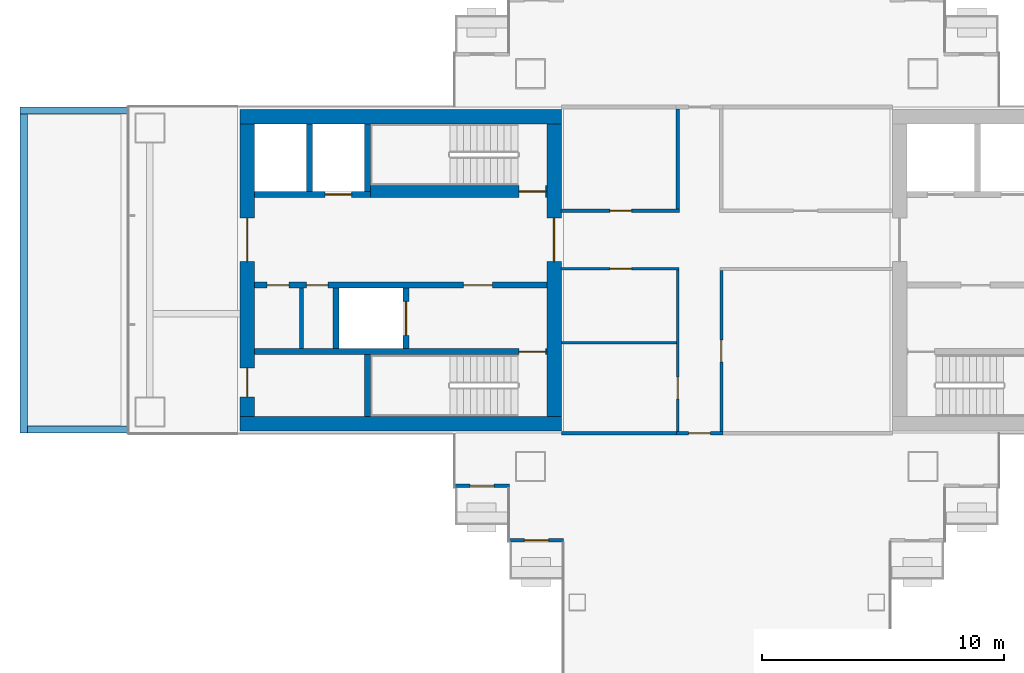
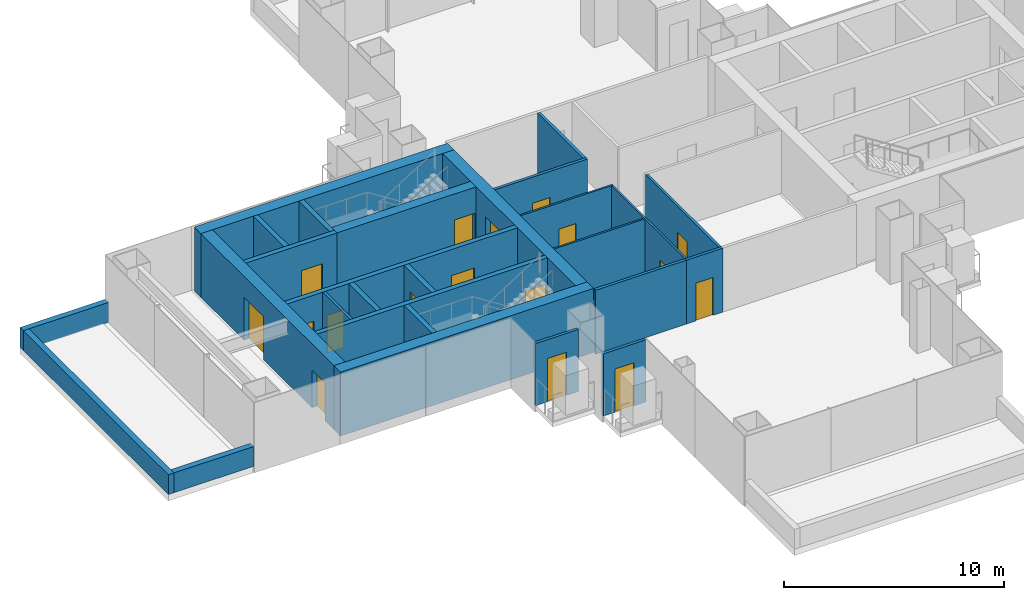
# One storey, part 11 of 20: 27 walls, 17 doors, 17 openings.
"""IFC4 building model written with IfcOpenShell, lengths in metres."""

from ifc_helpers import new_model, si_unit, direction, frame, frame_2d, origin, place, context, subcontext, project, spatial, rectangle, extrude, material, layer, layer_set, type_object, element, fill, save


model = new_model("IFC4")

# Units and contexts
model_context = context("Model", 3, precision=1e-05, world=origin(), true_north=direction((0.0, 1.0)))
body_context = subcontext(model_context, "Body", "Model", "MODEL_VIEW")
ifc_project = project(units=[si_unit("LENGTHUNIT", "METRE"), si_unit("AREAUNIT", "SQUARE_METRE"), si_unit("VOLUMEUNIT", "CUBIC_METRE"), si_unit("PLANEANGLEUNIT", "RADIAN"), si_unit("MASSUNIT", "GRAM", prefix="KILO")], contexts=[model_context])

# Site, building, storey
site_placement = place(None, origin())
site = spatial("IfcSite", under=ifc_project, at=site_placement, CompositionType="ELEMENT")
building_placement = place(site_placement, origin())
building = spatial("IfcBuilding", under=site, at=building_placement, Name="Shamsa Quay Exchange Towers", CompositionType="ELEMENT")
storey_placement = place(building_placement, frame((0.0, 0.0, 81.89990234375)))
storey = spatial("IfcBuildingStorey", under=building, at=storey_placement, Name="L18", CompositionType="ELEMENT", Elevation=81.89990234375)

# Wall, opening, door
ifc_material_1 = material(Name="Aluminium EN AW-6063 T6, black anodised, with black enamelled glass infill", Category="aluminium")
ifc_layer_1 = layer(ifc_material_1, 0.14990234375)
ifc_layer_set_1 = layer_set([ifc_layer_1], Name="BALCONY DOOR BAY WALL 150")
wall_type_1 = type_object("IfcWallType", Name="BALCONY DOOR BAY WALL 150", PredefinedType="SOLIDWALL", material=ifc_layer_set_1)
wall_1_placement = place(storey_placement, frame((-42.75, -8.925048828125, 0.0), z_axis=(0.0, 0.0, 1.0), x_axis=(-1.0, 0.0, 0.0)))
wall_1 = element("IfcWall", 1, at=wall_1_placement, inside=storey, type_object=wall_type_1, Name="Door bay T1-PKWS L18", PredefinedType="SOLIDWALL", context=body_context, shape_type="SweptSolid", body=[
    extrude(rectangle(XDim=2.25, YDim=0.14990234375, at=frame_2d((1.125, 0.0))), origin(), (0.0, 0.0, 1.0), 3.4501953125),
])
opening_1_placement = place(wall_1_placement, frame((0.625, 0.0, 0.0)))
opening_1 = element("IfcOpeningElement", 2, at=opening_1_placement, cuts=wall_1, Name="Opening XD111", PredefinedType="OPENING", context=body_context, shape_type="SweptSolid", body=[
    extrude(rectangle(XDim=1.0, YDim=2.39990234375, at=frame_2d((0.5, 1.199951171875))), frame((0.0, 0.0849609375, 0.0), z_axis=(0.0, -1.0, 0.0), x_axis=(1.0, 0.0, 0.0)), (0.0, 0.0, 1.0), 0.169921875),
])
ifc_material_2 = material(Name="Aluminium EN AW-6063 T6, black anodised, with laminated glass leaf", Category="aluminium")
door_type_1 = type_object("IfcDoorType", Name="BALCONY DOOR 1000x2400", OperationType="SINGLE_SWING_LEFT", PredefinedType="DOOR", material=ifc_material_2)
door_1_placement = place(opening_1_placement, origin())
door_1 = element("IfcDoor", 3, at=door_1_placement, inside=storey, type_object=door_type_1, Name="Balcony door T1-PKWS L18", OperationType="SINGLE_SWING_LEFT", OverallHeight=2.39990234375, OverallWidth=1.0, PredefinedType="DOOR", context=body_context, shape_type="SweptSolid", body=[
    extrude(rectangle(XDim=1.0, YDim=2.39990234375, at=frame_2d((0.5, 1.199951171875))), frame((0.0, 0.02490234375, 0.0), z_axis=(0.0, -1.0, 0.0), x_axis=(1.0, 0.0, 0.0)), (0.0, 0.0, 1.0), 0.050048828125),
])
fill(opening_1, door_1)

wall_2_placement = place(storey_placement, frame((-40.5, -11.175048828125, 0.0), z_axis=(0.0, 0.0, 1.0), x_axis=(-1.0, 0.0, 0.0)))
wall_2 = element("IfcWall", 4, at=wall_2_placement, inside=storey, type_object=wall_type_1, Name="Door bay T1-PKWS L18", PredefinedType="SOLIDWALL", context=body_context, shape_type="SweptSolid", body=[
    extrude(rectangle(XDim=2.25, YDim=0.14990234375, at=frame_2d((1.125, 0.0))), origin(), (0.0, 0.0, 1.0), 3.4501953125),
])
opening_2_placement = place(wall_2_placement, frame((0.625, 0.0, 0.0)))
opening_2 = element("IfcOpeningElement", 5, at=opening_2_placement, cuts=wall_2, Name="Opening XD112", PredefinedType="OPENING", context=body_context, shape_type="SweptSolid", body=[
    extrude(rectangle(XDim=1.0, YDim=2.39990234375, at=frame_2d((0.5, 1.199951171875))), frame((0.0, 0.0849609375, 0.0), z_axis=(0.0, -1.0, 0.0), x_axis=(1.0, 0.0, 0.0)), (0.0, 0.0, 1.0), 0.169921875),
])
door_2_placement = place(opening_2_placement, origin())
door_2 = element("IfcDoor", 6, at=door_2_placement, inside=storey, type_object=door_type_1, Name="Balcony door T1-PKWS L18", OperationType="SINGLE_SWING_RIGHT", OverallHeight=2.39990234375, OverallWidth=1.0, PredefinedType="DOOR", context=body_context, shape_type="SweptSolid", body=[
    extrude(rectangle(XDim=1.0, YDim=2.39990234375, at=frame_2d((0.5, 1.199951171875))), frame((0.0, 0.02490234375, 0.0), z_axis=(0.0, -1.0, 0.0), x_axis=(1.0, 0.0, 0.0)), (0.0, 0.0, 1.0), 0.050048828125),
])
fill(opening_2, door_2)

# Walls
ifc_material_3 = material(Name="Concrete C70/85", Category="concrete")
ifc_layer_2 = layer(ifc_material_3, 0.60009765625)
ifc_layer_set_2 = layer_set([ifc_layer_2], Name="CORE WALL 600 C70/85")
wall_type_2 = type_object("IfcWallType", Name="CORE WALL 600 C70/85", PredefinedType="SHEAR", material=ifc_layer_set_2)
for number, where, z_axis, x_axis, name in (
    (7, (-40.60009765625, -6.35009765625, 0.0), (0.0, 0.0, 1.0), (-1.0, 0.0, 0.0), "Core wall T1B-R08-PS"),
    (8, (-40.60009765625, 6.35009765625, 0.0), (0.0, 0.0, 1.0), (-1.0, 0.0, 0.0), "Core wall T1B-R08-PN"),
):
    element("IfcWall", number, at=place(storey_placement, frame(where, z_axis=z_axis, x_axis=x_axis)), inside=storey, type_object=wall_type_2, Name=name, PredefinedType="SHEAR", context=body_context, shape_type="SweptSolid", body=[
        extrude(rectangle(XDim=13.2998046875, YDim=0.60009765625, at=frame_2d((6.64990234375, 0.0))), origin(), (0.0, 0.0, 1.0), 3.550048828125),
    ])

# Wall, opening, door
wall_3_placement = place(storey_placement, frame((-40.89990234375, -6.050048828125, 0.0), z_axis=(0.0, 0.0, 1.0), x_axis=(0.0, 1.0, 0.0)))
wall_3 = element("IfcWall", 9, at=wall_3_placement, inside=storey, type_object=wall_type_2, Name="Core wall T1B-R08-PF", PredefinedType="SHEAR", context=body_context, shape_type="SweptSolid", body=[
    extrude(rectangle(XDim=12.10009765625, YDim=0.60009765625, at=frame_2d((6.050048828125, 0.0))), origin(), (0.0, 0.0, 1.0), 3.550048828125),
])
opening_3_placement = place(wall_3_placement, frame((6.39990234375, 0.0, 0.0)))
opening_3 = element("IfcOpeningElement", 10, at=opening_3_placement, cuts=wall_3, Name="Opening T1B-R08-LBD01", PredefinedType="OPENING", context=body_context, shape_type="SweptSolid", body=[
    extrude(rectangle(XDim=1.800048828125, YDim=2.39990234375, at=frame_2d((0.89990234375, 1.199951171875))), frame((0.0, 0.31005859375, 0.0), z_axis=(0.0, -1.0, 0.0), x_axis=(1.0, 0.0, 0.0)), (0.0, 0.0, 1.0), 0.6201171875),
])
ifc_material_4 = material(Name="Steel, fire rated", Category="steel")
door_type_2 = type_object("IfcDoorType", Name="LIFT LOBBY DOOR PAIR 1800", OperationType="DOUBLE_DOOR_SINGLE_SWING", PredefinedType="DOOR", material=ifc_material_4)
door_3_placement = place(opening_3_placement, origin())
door_3 = element("IfcDoor", 11, at=door_3_placement, inside=storey, type_object=door_type_2, Name="T1B-R08-LBD01", OperationType="DOUBLE_DOOR_SINGLE_SWING", OverallHeight=2.39990234375, OverallWidth=1.800048828125, PredefinedType="DOOR", context=body_context, shape_type="SweptSolid", body=[
    extrude(rectangle(XDim=1.800048828125, YDim=2.39990234375, at=frame_2d((0.89990234375, 1.199951171875))), frame((0.0, 0.02490234375, 0.0), z_axis=(0.0, -1.0, 0.0), x_axis=(1.0, 0.0, 0.0)), (0.0, 0.0, 1.0), 0.050048828125),
])
fill(opening_3, door_3)

# Wall, openings, doors
wall_4_placement = place(storey_placement, frame((-53.60009765625, -6.050048828125, 0.0), z_axis=(0.0, 0.0, 1.0), x_axis=(0.0, 1.0, 0.0)))
wall_4 = element("IfcWall", 12, at=wall_4_placement, inside=storey, type_object=wall_type_2, Name="Core wall T1B-R08-PB", PredefinedType="SHEAR", context=body_context, shape_type="SweptSolid", body=[
    extrude(rectangle(XDim=12.10009765625, YDim=0.60009765625, at=frame_2d((6.050048828125, 0.0))), origin(), (0.0, 0.0, 1.0), 3.550048828125),
])
opening_4_placement = place(wall_4_placement, frame((0.800048828125, 0.0, 0.0)))
opening_4 = element("IfcOpeningElement", 13, at=opening_4_placement, cuts=wall_4, Name="Opening T1B-R08-RD02", PredefinedType="OPENING", context=body_context, shape_type="SweptSolid", body=[
    extrude(rectangle(XDim=1.199951171875, YDim=2.10009765625, at=frame_2d((0.60009765625, 1.050048828125))), frame((0.0, 0.31005859375, 0.0), z_axis=(0.0, -1.0, 0.0), x_axis=(1.0, 0.0, 0.0)), (0.0, 0.0, 1.0), 0.6201171875),
])
opening_5_placement = place(wall_4_placement, frame((6.39990234375, 0.0, 0.0)))
opening_5 = element("IfcOpeningElement", 14, at=opening_5_placement, cuts=wall_4, Name="Opening T1B-R08-LBD03", PredefinedType="OPENING", context=body_context, shape_type="SweptSolid", body=[
    extrude(rectangle(XDim=1.800048828125, YDim=2.39990234375, at=frame_2d((0.89990234375, 1.199951171875))), frame((0.0, 0.31005859375, 0.0), z_axis=(0.0, -1.0, 0.0), x_axis=(1.0, 0.0, 0.0)), (0.0, 0.0, 1.0), 0.6201171875),
])
door_4_placement = place(opening_5_placement, origin())
door_4 = element("IfcDoor", 15, at=door_4_placement, inside=storey, type_object=door_type_2, Name="T1B-R08-LBD03", OperationType="DOUBLE_DOOR_SINGLE_SWING", OverallHeight=2.39990234375, OverallWidth=1.800048828125, PredefinedType="DOOR", context=body_context, shape_type="SweptSolid", body=[
    extrude(rectangle(XDim=1.800048828125, YDim=2.39990234375, at=frame_2d((0.89990234375, 1.199951171875))), frame((0.0, 0.02490234375, 0.0), z_axis=(0.0, -1.0, 0.0), x_axis=(1.0, 0.0, 0.0)), (0.0, 0.0, 1.0), 0.050048828125),
])
fill(opening_5, door_4)
door_type_3 = type_object("IfcDoorType", Name="RISER ACCESS DOOR 1200", OperationType="SINGLE_SWING_LEFT", PredefinedType="DOOR", material=ifc_material_4)
door_5_placement = place(opening_4_placement, origin())
door_5 = element("IfcDoor", 16, at=door_5_placement, inside=storey, type_object=door_type_3, Name="T1B-R08-RD02", OperationType="SINGLE_SWING_LEFT", OverallHeight=2.10009765625, OverallWidth=1.199951171875, PredefinedType="DOOR", context=body_context, shape_type="SweptSolid", body=[
    extrude(rectangle(XDim=1.199951171875, YDim=2.10009765625, at=frame_2d((0.60009765625, 1.050048828125))), frame((0.0, 0.02490234375, 0.0), z_axis=(0.0, -1.0, 0.0), x_axis=(1.0, 0.0, 0.0)), (0.0, 0.0, 1.0), 0.050048828125),
])
fill(opening_4, door_5)

# Wall
ifc_material_5 = material(Name="Gypsum board on steel studs, EI 60", Category="steel")
ifc_layer_3 = layer(ifc_material_5, 0.14990234375)
ifc_layer_set_3 = layer_set([ifc_layer_3], Name="FIRE PARTITION 150")
wall_type_3 = type_object("IfcWallType", Name="FIRE PARTITION 150", PredefinedType="PARTITIONING", material=ifc_layer_set_3)
wall_5_placement = place(storey_placement, frame((-51.35009765625, -3.25, 0.0), z_axis=(0.0, 0.0, 1.0), x_axis=(0.0, 1.0, 0.0)))
element("IfcWall", 17, at=wall_5_placement, inside=storey, type_object=wall_type_3, Name="Partition T1B-R08-EC0", PredefinedType="PARTITIONING", context=body_context, shape_type="SweptSolid", body=[
    extrude(rectangle(XDim=2.5, YDim=0.14990234375, at=frame_2d((1.25, 0.0))), origin(), (0.0, 0.0, 1.0), 3.550048828125),
])

# Wall, opening, door
ifc_material_6 = material(Name="Laminated fire-resisting glass in a metal frame", Category="glass")
ifc_layer_4 = layer(ifc_material_6, 0.125)
ifc_layer_set_4 = layer_set([ifc_layer_4], Name="Glazed partition 125 mm EI 60")
wall_type_4 = type_object("IfcWallType", Name="Glazed partition 125 mm EI 60", PredefinedType="PARTITIONING", material=ifc_layer_set_4)
wall_6_placement = place(storey_placement, frame((-33.974609375, -0.0126953125, 0.0), z_axis=(0.0, 0.0, 1.0), x_axis=(0.0, -1.0, 0.0)))
wall_6 = element("IfcWall", 18, at=wall_6_placement, inside=storey, type_object=wall_type_4, Name="Partition T1-R08-W05", PredefinedType="PARTITIONING", context=body_context, shape_type="SweptSolid", body=[
    extrude(rectangle(XDim=6.662353515625, YDim=0.125, at=frame_2d((3.3310546875, 0.0))), origin(), (0.0, 0.0, 1.0), 3.550048828125),
])
opening_6_placement = place(wall_6_placement, frame((2.887451171875, 0.0, 0.0)))
opening_6 = element("IfcOpeningElement", 19, at=opening_6_placement, cuts=wall_6, Name="Opening T1-R08-D06", PredefinedType="OPENING", context=body_context, shape_type="SweptSolid", body=[
    extrude(rectangle(XDim=0.89990234375, YDim=2.10009765625, at=frame_2d((0.449951171875, 1.050048828125))), frame((0.0, 0.072509765625, 0.0), z_axis=(0.0, -1.0, 0.0), x_axis=(1.0, 0.0, 0.0)), (0.0, 0.0, 1.0), 0.14501953125),
])
ifc_material_7 = material(Name="Timber door leaf in a metal frame", Category="wood")
door_type_4 = type_object("IfcDoorType", Name="Door 900x2100 FD30S", OperationType="NOTDEFINED", PredefinedType="DOOR", material=ifc_material_7)
door_6_placement = place(opening_6_placement, origin())
door_6 = element("IfcDoor", 20, at=door_6_placement, inside=storey, type_object=door_type_4, Name="Door T1-R08-D06", OperationType="SINGLE_SWING_RIGHT", OverallHeight=2.10009765625, OverallWidth=0.89990234375, PredefinedType="DOOR", context=body_context, shape_type="SweptSolid", body=[
    extrude(rectangle(XDim=0.89990234375, YDim=2.10009765625, at=frame_2d((0.449951171875, 1.050048828125))), frame((0.0, 0.02490234375, 0.0), z_axis=(0.0, -1.0, 0.0), x_axis=(1.0, 0.0, 0.0)), (0.0, 0.0, 1.0), 0.050048828125),
])
fill(opening_6, door_6)

ifc_material_8 = material(Name="Gypsum board partition on metal studs")
ifc_layer_5 = layer(ifc_material_8, 0.10009765625)
ifc_layer_set_5 = layer_set([ifc_layer_5], Name="Partition 100 mm NOT RATED")
wall_type_5 = type_object("IfcWallType", Name="Partition 100 mm NOT RATED", PredefinedType="PARTITIONING", material=ifc_layer_set_5)
wall_7_placement = place(storey_placement, frame((-35.775390625, -6.675048828125, 0.0), z_axis=(0.0, 0.0, 1.0), x_axis=(0.0, 1.0, 0.0)))
wall_7 = element("IfcWall", 21, at=wall_7_placement, inside=storey, type_object=wall_type_5, Name="Partition T1-R08-W07", PredefinedType="PARTITIONING", context=body_context, shape_type="SweptSolid", body=[
    extrude(rectangle(XDim=6.6748046875, YDim=0.10009765625, at=frame_2d((3.33740234375, 0.0))), origin(), (0.0, 0.0, 1.0), 3.550048828125),
])
opening_7_placement = place(wall_7_placement, frame((1.35009765625, 0.0, 0.0)))
opening_7 = element("IfcOpeningElement", 22, at=opening_7_placement, cuts=wall_7, Name="Opening T1-R08-D02", PredefinedType="OPENING", context=body_context, shape_type="SweptSolid", body=[
    extrude(rectangle(XDim=0.89990234375, YDim=2.10009765625, at=frame_2d((0.449951171875, 1.050048828125))), frame((0.0, 0.06005859375, 0.0), z_axis=(0.0, -1.0, 0.0), x_axis=(1.0, 0.0, 0.0)), (0.0, 0.0, 1.0), 0.1201171875),
])
door_type_5 = type_object("IfcDoorType", Name="Door 900x2100 NOT RATED", OperationType="NOTDEFINED", PredefinedType="DOOR", material=ifc_material_7)
door_7_placement = place(opening_7_placement, origin())
door_7 = element("IfcDoor", 23, at=door_7_placement, inside=storey, type_object=door_type_5, Name="Door T1-R08-D02", OperationType="SINGLE_SWING_RIGHT", OverallHeight=2.10009765625, OverallWidth=0.89990234375, PredefinedType="DOOR", context=body_context, shape_type="SweptSolid", body=[
    extrude(rectangle(XDim=0.89990234375, YDim=2.10009765625, at=frame_2d((0.449951171875, 1.050048828125))), frame((0.0, 0.02490234375, 0.0), z_axis=(0.0, -1.0, 0.0), x_axis=(1.0, 0.0, 0.0)), (0.0, 0.0, 1.0), 0.050048828125),
])
fill(opening_7, door_7)

wall_8_placement = place(storey_placement, frame((-35.725341796875, 0.0498046875, 0.0), z_axis=(0.0, 0.0, 1.0), x_axis=(-1.0, 0.0, 0.0)))
wall_8 = element("IfcWall", 24, at=wall_8_placement, inside=storey, type_object=wall_type_5, Name="Partition T1-R08-W08", PredefinedType="PARTITIONING", context=body_context, shape_type="SweptSolid", body=[
    extrude(rectangle(XDim=4.874755859375, YDim=0.10009765625, at=frame_2d((2.4375, 0.0))), origin(), (0.0, 0.0, 1.0), 3.550048828125),
])
opening_8_placement = place(wall_8_placement, frame((1.96240234375, 0.0, 0.0)))
opening_8 = element("IfcOpeningElement", 25, at=opening_8_placement, cuts=wall_8, Name="Opening T1-R08-D03", PredefinedType="OPENING", context=body_context, shape_type="SweptSolid", body=[
    extrude(rectangle(XDim=0.89990234375, YDim=2.10009765625, at=frame_2d((0.449951171875, 1.050048828125))), frame((0.0, 0.06005859375, 0.0), z_axis=(0.0, -1.0, 0.0), x_axis=(1.0, 0.0, 0.0)), (0.0, 0.0, 1.0), 0.1201171875),
])
door_8_placement = place(opening_8_placement, origin())
door_8 = element("IfcDoor", 26, at=door_8_placement, inside=storey, type_object=door_type_5, Name="Door T1-R08-D03", OperationType="SINGLE_SWING_RIGHT", OverallHeight=2.10009765625, OverallWidth=0.89990234375, PredefinedType="DOOR", context=body_context, shape_type="SweptSolid", body=[
    extrude(rectangle(XDim=0.89990234375, YDim=2.10009765625, at=frame_2d((0.449951171875, 1.050048828125))), frame((0.0, 0.02490234375, 0.0), z_axis=(0.0, -1.0, 0.0), x_axis=(1.0, 0.0, 0.0)), (0.0, 0.0, 1.0), 0.050048828125),
])
fill(opening_8, door_8)

# Wall
wall_9_placement = place(storey_placement, frame((-35.825439453125, -3.0, 0.0), z_axis=(0.0, 0.0, 1.0), x_axis=(-1.0, 0.0, 0.0)))
element("IfcWall", 27, at=wall_9_placement, inside=storey, type_object=wall_type_5, Name="Partition T1-R08-W16", PredefinedType="PARTITIONING", context=body_context, shape_type="SweptSolid", body=[
    extrude(rectangle(XDim=4.774658203125, YDim=0.10009765625, at=frame_2d((2.38720703125, 0.0))), origin(), (0.0, 0.0, 1.0), 3.550048828125),
])

# Wall, opening, door
ifc_layer_6 = layer(ifc_material_8, 0.14990234375)
ifc_layer_set_6 = layer_set([ifc_layer_6], Name="Partition 150 mm EI 60")
wall_type_6 = type_object("IfcWallType", Name="Partition 150 mm EI 60", PredefinedType="PARTITIONING", material=ifc_layer_set_6)
wall_10_placement = place(storey_placement, frame((-40.60009765625, 2.4501953125, 0.0)))
wall_10 = element("IfcWall", 28, at=wall_10_placement, inside=storey, type_object=wall_type_6, Name="Partition T1-R08-W02", PredefinedType="PARTITIONING", context=body_context, shape_type="SweptSolid", body=[
    extrude(rectangle(XDim=4.899658203125, YDim=0.14990234375, at=frame_2d((2.44970703125, 0.0))), origin(), (0.0, 0.0, 1.0), 3.550048828125),
])
opening_9_placement = place(wall_10_placement, frame((2.01220703125, 0.0, 0.0)))
opening_9 = element("IfcOpeningElement", 29, at=opening_9_placement, cuts=wall_10, Name="Opening T1-R08-D01", PredefinedType="OPENING", context=body_context, shape_type="SweptSolid", body=[
    extrude(rectangle(XDim=0.89990234375, YDim=2.10009765625, at=frame_2d((0.449951171875, 1.050048828125))), frame((0.0, 0.0849609375, 0.0), z_axis=(0.0, -1.0, 0.0), x_axis=(1.0, 0.0, 0.0)), (0.0, 0.0, 1.0), 0.169921875),
])
door_9_placement = place(opening_9_placement, origin())
door_9 = element("IfcDoor", 30, at=door_9_placement, inside=storey, type_object=door_type_4, Name="Door T1-R08-D01", OperationType="SINGLE_SWING_LEFT", OverallHeight=2.10009765625, OverallWidth=0.89990234375, PredefinedType="DOOR", context=body_context, shape_type="SweptSolid", body=[
    extrude(rectangle(XDim=0.89990234375, YDim=2.10009765625, at=frame_2d((0.449951171875, 1.050048828125))), frame((0.0, 0.02490234375, 0.0), z_axis=(0.0, -1.0, 0.0), x_axis=(1.0, 0.0, 0.0)), (0.0, 0.0, 1.0), 0.050048828125),
])
fill(opening_9, door_9)

# Wall
wall_11_placement = place(storey_placement, frame((-35.775390625, 2.525146484375, 0.0), z_axis=(0.0, 0.0, 1.0), x_axis=(0.0, 1.0, 0.0)))
element("IfcWall", 31, at=wall_11_placement, inside=storey, type_object=wall_type_6, Name="Partition T1-R08-W06", PredefinedType="PARTITIONING", context=body_context, shape_type="SweptSolid", body=[
    extrude(rectangle(XDim=4.14990234375, YDim=0.14990234375, at=frame_2d((2.074951171875, 0.0))), origin(), (0.0, 0.0, 1.0), 3.550048828125),
])

# Wall, opening, door
wall_12_placement = place(storey_placement, frame((-33.912109375, -6.75, 0.0), z_axis=(0.0, 0.0, 1.0), x_axis=(-1.0, 0.0, 0.0)))
wall_12 = element("IfcWall", 32, at=wall_12_placement, inside=storey, type_object=wall_type_6, Name="Partition T1-R08-W10", PredefinedType="PARTITIONING", context=body_context, shape_type="SweptSolid", body=[
    extrude(rectangle(XDim=1.913330078125, YDim=0.14990234375, at=frame_2d((0.95654296875, 0.0))), origin(), (0.0, 0.0, 1.0), 3.550048828125),
])
opening_10_placement = place(wall_12_placement, frame((0.512939453125, 0.0, 0.0)))
opening_10 = element("IfcOpeningElement", 33, at=opening_10_placement, cuts=wall_12, Name="Opening T1-R08-D05", PredefinedType="OPENING", context=body_context, shape_type="SweptSolid", body=[
    extrude(rectangle(XDim=0.89990234375, YDim=2.10009765625, at=frame_2d((0.449951171875, 1.050048828125))), frame((0.0, 0.0849609375, 0.0), z_axis=(0.0, -1.0, 0.0), x_axis=(1.0, 0.0, 0.0)), (0.0, 0.0, 1.0), 0.169921875),
])
door_10_placement = place(opening_10_placement, origin())
door_10 = element("IfcDoor", 34, at=door_10_placement, inside=storey, type_object=door_type_4, Name="Door T1-R08-D05", OperationType="SINGLE_SWING_RIGHT", OverallHeight=2.10009765625, OverallWidth=0.89990234375, PredefinedType="DOOR", context=body_context, shape_type="SweptSolid", body=[
    extrude(rectangle(XDim=0.89990234375, YDim=2.10009765625, at=frame_2d((0.449951171875, 1.050048828125))), frame((0.0, 0.02490234375, 0.0), z_axis=(0.0, -1.0, 0.0), x_axis=(1.0, 0.0, 0.0)), (0.0, 0.0, 1.0), 0.050048828125),
])
fill(opening_10, door_10)

# Walls
wall_13_placement = place(storey_placement, frame((-40.60009765625, -6.75, 0.0)))
element("IfcWall", 35, at=wall_13_placement, inside=storey, type_object=wall_type_6, Name="Partition T1-R08-W14", PredefinedType="PARTITIONING", context=body_context, shape_type="SweptSolid", body=[
    extrude(rectangle(XDim=4.874755859375, YDim=0.14990234375, at=frame_2d((2.4375, 0.0))), origin(), (0.0, 0.0, 1.0), 3.550048828125),
])
ifc_material_9 = material(Name="Reinforced concrete C30/37", Category="concrete")
ifc_layer_7 = layer(ifc_material_9, 0.300048828125)
ifc_layer_set_7 = layer_set([ifc_layer_7], Name="ROOF PARAPET 300 C30/37")
wall_type_7 = type_object("IfcWallType", Name="ROOF PARAPET 300 C30/37", PredefinedType="PARAPET", material=ifc_layer_set_7)
wall_14_placement = place(storey_placement, frame((-58.5, 6.60009765625, 0.0), z_axis=(0.0, 0.0, 1.0), x_axis=(-1.0, 0.0, 0.0)))
element("IfcWall", 36, at=wall_14_placement, inside=storey, type_object=wall_type_7, Name="Parapet L17 1", PredefinedType="PARAPET", context=body_context, shape_type="SweptSolid", body=[
    extrude(rectangle(XDim=4.5, YDim=0.300048828125, at=frame_2d((2.25, 0.0))), origin(), (0.0, 0.0, 1.0), 1.10009765625),
])
wall_15_placement = place(storey_placement, frame((-62.85009765625, 6.449951171875, 0.0), z_axis=(0.0, 0.0, 1.0), x_axis=(0.0, -1.0, 0.0)))
element("IfcWall", 37, at=wall_15_placement, inside=storey, type_object=wall_type_7, Name="Parapet L17 2", PredefinedType="PARAPET", context=body_context, shape_type="SweptSolid", body=[
    extrude(rectangle(XDim=13.199951171875, YDim=0.300048828125, at=frame_2d((6.60009765625, 0.0))), origin(), (0.0, 0.0, 1.0), 1.10009765625),
])
wall_16_placement = place(storey_placement, frame((-62.699951171875, -6.60009765625, 0.0)))
element("IfcWall", 38, at=wall_16_placement, inside=storey, type_object=wall_type_7, Name="Parapet L17 3", PredefinedType="PARAPET", context=body_context, shape_type="SweptSolid", body=[
    extrude(rectangle(XDim=4.199951171875, YDim=0.300048828125, at=frame_2d((2.10009765625, 0.0))), origin(), (0.0, 0.0, 1.0), 1.10009765625),
])

# Wall, opening, door
ifc_material_10 = material(Name="Concrete C50/60", Category="concrete")
ifc_layer_8 = layer(ifc_material_10, 0.25)
ifc_layer_set_8 = layer_set([ifc_layer_8], Name="SHAFT WALL 250 C50/60")
wall_type_8 = type_object("IfcWallType", Name="SHAFT WALL 250 C50/60", PredefinedType="SHEAR", material=ifc_layer_set_8)
wall_17_placement = place(storey_placement, frame((-41.199951171875, -3.375, 0.0), z_axis=(0.0, 0.0, 1.0), x_axis=(-1.0, 0.0, 0.0)))
wall_17 = element("IfcWall", 39, at=wall_17_placement, inside=storey, type_object=wall_type_8, Name="Shaft wall T1B-R08-STL", PredefinedType="SHEAR", context=body_context, shape_type="SweptSolid", body=[
    extrude(rectangle(XDim=12.10009765625, YDim=0.25, at=frame_2d((6.050048828125, 0.0))), origin(), (0.0, 0.0, 1.0), 3.550048828125),
])
opening_11_placement = place(wall_17_placement, frame((0.050048828125, 0.0, 0.0)))
opening_11 = element("IfcOpeningElement", 40, at=opening_11_placement, cuts=wall_17, Name="Opening T1B-R08-SD04", PredefinedType="OPENING", context=body_context, shape_type="SweptSolid", body=[
    extrude(rectangle(XDim=1.10009765625, YDim=2.10009765625, at=frame_2d((0.550048828125, 1.050048828125))), frame((0.0, 0.135009765625, 0.0), z_axis=(0.0, -1.0, 0.0), x_axis=(1.0, 0.0, 0.0)), (0.0, 0.0, 1.0), 0.27001953125),
])
door_type_6 = type_object("IfcDoorType", Name="STAIR DOOR 1100", OperationType="SINGLE_SWING_LEFT", PredefinedType="DOOR", material=ifc_material_4)
door_11_placement = place(opening_11_placement, origin())
door_11 = element("IfcDoor", 41, at=door_11_placement, inside=storey, type_object=door_type_6, Name="T1B-R08-SD04", OperationType="SINGLE_SWING_LEFT", OverallHeight=2.10009765625, OverallWidth=1.10009765625, PredefinedType="DOOR", context=body_context, shape_type="SweptSolid", body=[
    extrude(rectangle(XDim=1.10009765625, YDim=2.10009765625, at=frame_2d((0.550048828125, 1.050048828125))), frame((0.0, 0.02490234375, 0.0), z_axis=(0.0, -1.0, 0.0), x_axis=(1.0, 0.0, 0.0)), (0.0, 0.0, 1.0), 0.050048828125),
])
fill(opening_11, door_11)

# Wall
wall_18_placement = place(storey_placement, frame((-48.625, -6.050048828125, 0.0), z_axis=(0.0, 0.0, 1.0), x_axis=(0.0, 1.0, 0.0)))
element("IfcWall", 42, at=wall_18_placement, inside=storey, type_object=wall_type_8, Name="Shaft wall T1B-R08-STF", PredefinedType="SHEAR", context=body_context, shape_type="SweptSolid", body=[
    extrude(rectangle(XDim=2.550048828125, YDim=0.25, at=frame_2d((1.27490234375, 0.0))), origin(), (0.0, 0.0, 1.0), 3.550048828125),
])

# Wall, openings, doors
wall_19_placement = place(storey_placement, frame((-41.199951171875, -0.625, 0.0), z_axis=(0.0, 0.0, 1.0), x_axis=(-1.0, 0.0, 0.0)))
wall_19 = element("IfcWall", 43, at=wall_19_placement, inside=storey, type_object=wall_type_8, Name="Shaft wall T1B-R08-B", PredefinedType="SHEAR", context=body_context, shape_type="SweptSolid", body=[
    extrude(rectangle(XDim=12.10009765625, YDim=0.25, at=frame_2d((6.050048828125, 0.0))), origin(), (0.0, 0.0, 1.0), 3.550048828125),
])
opening_12_placement = place(wall_19_placement, frame((2.25, 0.0, 0.0)))
opening_12 = element("IfcOpeningElement", 44, at=opening_12_placement, cuts=wall_19, Name="Opening T1B-R08-FD05", PredefinedType="OPENING", context=body_context, shape_type="SweptSolid", body=[
    extrude(rectangle(XDim=1.199951171875, YDim=2.10009765625, at=frame_2d((0.60009765625, 1.050048828125))), frame((0.0, 0.135009765625, 0.0), z_axis=(0.0, -1.0, 0.0), x_axis=(1.0, 0.0, 0.0)), (0.0, 0.0, 1.0), 0.27001953125),
])
opening_13_placement = place(wall_19_placement, frame((9.050048828125, 0.0, 0.0)))
opening_13 = element("IfcOpeningElement", 45, at=opening_13_placement, cuts=wall_19, Name="Opening T1B-R08-SV06", PredefinedType="OPENING", context=body_context, shape_type="SweptSolid", body=[
    extrude(rectangle(XDim=0.89990234375, YDim=2.10009765625, at=frame_2d((0.449951171875, 1.050048828125))), frame((0.0, 0.135009765625, 0.0), z_axis=(0.0, -1.0, 0.0), x_axis=(1.0, 0.0, 0.0)), (0.0, 0.0, 1.0), 0.27001953125),
])
opening_14_placement = place(wall_19_placement, frame((10.675048828125, 0.0, 0.0)))
opening_14 = element("IfcOpeningElement", 46, at=opening_14_placement, cuts=wall_19, Name="Opening T1B-R08-SV07", PredefinedType="OPENING", context=body_context, shape_type="SweptSolid", body=[
    extrude(rectangle(XDim=0.89990234375, YDim=2.10009765625, at=frame_2d((0.449951171875, 1.050048828125))), frame((0.0, 0.135009765625, 0.0), z_axis=(0.0, -1.0, 0.0), x_axis=(1.0, 0.0, 0.0)), (0.0, 0.0, 1.0), 0.27001953125),
])
door_type_7 = type_object("IfcDoorType", Name="FIRE SERVICE LOBBY DOOR 1200", OperationType="SINGLE_SWING_LEFT", PredefinedType="DOOR", material=ifc_material_4)
door_12_placement = place(opening_12_placement, origin())
door_12 = element("IfcDoor", 47, at=door_12_placement, inside=storey, type_object=door_type_7, Name="T1B-R08-FD05", OperationType="SINGLE_SWING_LEFT", OverallHeight=2.10009765625, OverallWidth=1.199951171875, PredefinedType="DOOR", context=body_context, shape_type="SweptSolid", body=[
    extrude(rectangle(XDim=1.199951171875, YDim=2.10009765625, at=frame_2d((0.60009765625, 1.050048828125))), frame((0.0, 0.02490234375, 0.0), z_axis=(0.0, -1.0, 0.0), x_axis=(1.0, 0.0, 0.0)), (0.0, 0.0, 1.0), 0.050048828125),
])
fill(opening_12, door_12)
door_type_8 = type_object("IfcDoorType", Name="SERVICE ROOM DOOR 900", OperationType="SINGLE_SWING_LEFT", PredefinedType="DOOR", material=ifc_material_4)
door_13_placement = place(opening_13_placement, origin())
door_13 = element("IfcDoor", 48, at=door_13_placement, inside=storey, type_object=door_type_8, Name="T1B-R08-SV06", OperationType="SINGLE_SWING_RIGHT", OverallHeight=2.10009765625, OverallWidth=0.89990234375, PredefinedType="DOOR", context=body_context, shape_type="SweptSolid", body=[
    extrude(rectangle(XDim=0.89990234375, YDim=2.10009765625, at=frame_2d((0.449951171875, 1.050048828125))), frame((0.0, 0.02490234375, 0.0), z_axis=(0.0, -1.0, 0.0), x_axis=(1.0, 0.0, 0.0)), (0.0, 0.0, 1.0), 0.050048828125),
])
fill(opening_13, door_13)
door_14_placement = place(opening_14_placement, origin())
door_14 = element("IfcDoor", 49, at=door_14_placement, inside=storey, type_object=door_type_8, Name="T1B-R08-SV07", OperationType="SINGLE_SWING_RIGHT", OverallHeight=2.10009765625, OverallWidth=0.89990234375, PredefinedType="DOOR", context=body_context, shape_type="SweptSolid", body=[
    extrude(rectangle(XDim=0.89990234375, YDim=2.10009765625, at=frame_2d((0.449951171875, 1.050048828125))), frame((0.0, 0.02490234375, 0.0), z_axis=(0.0, -1.0, 0.0), x_axis=(1.0, 0.0, 0.0)), (0.0, 0.0, 1.0), 0.050048828125),
])
fill(opening_14, door_14)

# Wall, opening, door
wall_20_placement = place(storey_placement, frame((-47.02490234375, -3.25, 0.0), z_axis=(0.0, 0.0, 1.0), x_axis=(0.0, 1.0, 0.0)))
wall_20 = element("IfcWall", 50, at=wall_20_placement, inside=storey, type_object=wall_type_8, Name="Shaft wall T1B-R08-FFF", PredefinedType="SHEAR", context=body_context, shape_type="SweptSolid", body=[
    extrude(rectangle(XDim=2.5, YDim=0.25, at=frame_2d((1.25, 0.0))), origin(), (0.0, 0.0, 1.0), 3.550048828125),
])
opening_15_placement = place(wall_20_placement, frame((0.550048828125, 0.0, 0.0)))
opening_15 = element("IfcOpeningElement", 51, at=opening_15_placement, cuts=wall_20, Name="Opening T1B-R08-LDG08", PredefinedType="OPENING", context=body_context, shape_type="SweptSolid", body=[
    extrude(rectangle(XDim=1.39990234375, YDim=2.39990234375, at=frame_2d((0.699951171875, 1.199951171875))), frame((0.0, 0.135009765625, 0.0), z_axis=(0.0, -1.0, 0.0), x_axis=(1.0, 0.0, 0.0)), (0.0, 0.0, 1.0), 0.27001953125),
])
door_type_9 = type_object("IfcDoorType", Name="GOODS LIFT LANDING DOOR 1400", OperationType="SLIDING_TO_LEFT", PredefinedType="DOOR", material=ifc_material_4)
door_15_placement = place(opening_15_placement, origin())
door_15 = element("IfcDoor", 52, at=door_15_placement, inside=storey, type_object=door_type_9, Name="T1B-R08-LDG08", OperationType="SLIDING_TO_LEFT", OverallHeight=2.39990234375, OverallWidth=1.39990234375, PredefinedType="DOOR", context=body_context, shape_type="SweptSolid", body=[
    extrude(rectangle(XDim=1.39990234375, YDim=2.39990234375, at=frame_2d((0.699951171875, 1.199951171875))), frame((0.0, 0.02490234375, 0.0), z_axis=(0.0, -1.0, 0.0), x_axis=(1.0, 0.0, 0.0)), (0.0, 0.0, 1.0), 0.050048828125),
])
fill(opening_15, door_15)

# Wall
wall_21_placement = place(storey_placement, frame((-49.925048828125, -3.25, 0.0), z_axis=(0.0, 0.0, 1.0), x_axis=(0.0, 1.0, 0.0)))
element("IfcWall", 53, at=wall_21_placement, inside=storey, type_object=wall_type_8, Name="Shaft wall T1B-R08-FFB", PredefinedType="SHEAR", context=body_context, shape_type="SweptSolid", body=[
    extrude(rectangle(XDim=2.5, YDim=0.25, at=frame_2d((1.25, 0.0))), origin(), (0.0, 0.0, 1.0), 3.550048828125),
])

# Wall, opening, door
wall_22_placement = place(storey_placement, frame((-48.5, 3.125, 0.0), z_axis=(0.0, 0.0, 1.0), x_axis=(-1.0, 0.0, 0.0)))
wall_22 = element("IfcWall", 54, at=wall_22_placement, inside=storey, type_object=wall_type_8, Name="Shaft wall T1B-R08-N2", PredefinedType="SHEAR", context=body_context, shape_type="SweptSolid", body=[
    extrude(rectangle(XDim=4.800048828125, YDim=0.25, at=frame_2d((2.39990234375, 0.0))), origin(), (0.0, 0.0, 1.0), 3.550048828125),
])
opening_16_placement = place(wall_22_placement, frame((0.77490234375, 0.0, 0.0)))
opening_16 = element("IfcOpeningElement", 55, at=opening_16_placement, cuts=wall_22, Name="Opening T1B-R08-LD10", PredefinedType="OPENING", context=body_context, shape_type="SweptSolid", body=[
    extrude(rectangle(XDim=1.10009765625, YDim=2.10009765625, at=frame_2d((0.550048828125, 1.050048828125))), frame((0.0, 0.135009765625, 0.0), z_axis=(0.0, -1.0, 0.0), x_axis=(1.0, 0.0, 0.0)), (0.0, 0.0, 1.0), 0.27001953125),
])
door_type_10 = type_object("IfcDoorType", Name="LANDING DOOR 1100", OperationType="SLIDING_TO_LEFT", PredefinedType="DOOR", material=ifc_material_4)
door_16_placement = place(opening_16_placement, origin())
door_16 = element("IfcDoor", 56, at=door_16_placement, inside=storey, type_object=door_type_10, Name="T1B-R08-LD10", OperationType="SLIDING_TO_LEFT", OverallHeight=2.10009765625, OverallWidth=1.10009765625, PredefinedType="DOOR", context=body_context, shape_type="SweptSolid", body=[
    extrude(rectangle(XDim=1.10009765625, YDim=2.10009765625, at=frame_2d((0.550048828125, 1.050048828125))), frame((0.0, 0.02490234375, 0.0), z_axis=(0.0, -1.0, 0.0), x_axis=(1.0, 0.0, 0.0)), (0.0, 0.0, 1.0), 0.050048828125),
])
fill(opening_16, door_16)

# Walls
for number, where, z_axis, x_axis, name in (
    (57, (-48.625, 3.25, 0.0), (0.0, 0.0, 1.0), (0.0, 1.0, 0.0), "Shaft wall T1B-R08-STF2"),
    (58, (-51.02490234375, 3.25, 0.0), (0.0, 0.0, 1.0), (0.0, 1.0, 0.0), "Shaft wall T1B-R08-D0"),
):
    element("IfcWall", number, at=place(storey_placement, frame(where, z_axis=z_axis, x_axis=x_axis)), inside=storey, type_object=wall_type_8, Name=name, PredefinedType="SHEAR", context=body_context, shape_type="SweptSolid", body=[
        extrude(rectangle(XDim=2.800048828125, YDim=0.25, at=frame_2d((1.39990234375, 0.0))), origin(), (0.0, 0.0, 1.0), 3.550048828125),
    ])

# Wall, opening, door
ifc_layer_9 = layer(ifc_material_10, 0.5)
ifc_layer_set_9 = layer_set([ifc_layer_9], Name="SHAFT WALL 500 C50/60")
wall_type_9 = type_object("IfcWallType", Name="SHAFT WALL 500 C50/60", PredefinedType="SHEAR", material=ifc_layer_set_9)
wall_23_placement = place(storey_placement, frame((-48.5, 3.25, 0.0)))
wall_23 = element("IfcWall", 59, at=wall_23_placement, inside=storey, type_object=wall_type_9, Name="Shaft wall T1B-R08-N", PredefinedType="SHEAR", context=body_context, shape_type="SweptSolid", body=[
    extrude(rectangle(XDim=7.300048828125, YDim=0.5, at=frame_2d((3.64990234375, 0.0))), origin(), (0.0, 0.0, 1.0), 3.550048828125),
])
opening_17_placement = place(wall_23_placement, frame((6.14990234375, 0.0, 0.0)))
opening_17 = element("IfcOpeningElement", 60, at=opening_17_placement, cuts=wall_23, Name="Opening T1B-R08-SD09", PredefinedType="OPENING", context=body_context, shape_type="SweptSolid", body=[
    extrude(rectangle(XDim=1.10009765625, YDim=2.10009765625, at=frame_2d((0.550048828125, 1.050048828125))), frame((0.0, 0.260009765625, 0.0), z_axis=(0.0, -1.0, 0.0), x_axis=(1.0, 0.0, 0.0)), (0.0, 0.0, 1.0), 0.52001953125),
])
door_17_placement = place(opening_17_placement, origin())
door_17 = element("IfcDoor", 61, at=door_17_placement, inside=storey, type_object=door_type_6, Name="T1B-R08-SD09", OperationType="SINGLE_SWING_RIGHT", OverallHeight=2.10009765625, OverallWidth=1.10009765625, PredefinedType="DOOR", context=body_context, shape_type="SweptSolid", body=[
    extrude(rectangle(XDim=1.10009765625, YDim=2.10009765625, at=frame_2d((0.550048828125, 1.050048828125))), frame((0.0, 0.02490234375, 0.0), z_axis=(0.0, -1.0, 0.0), x_axis=(1.0, 0.0, 0.0)), (0.0, 0.0, 1.0), 0.050048828125),
])
fill(opening_17, door_17)

save(model, "model.ifc")
